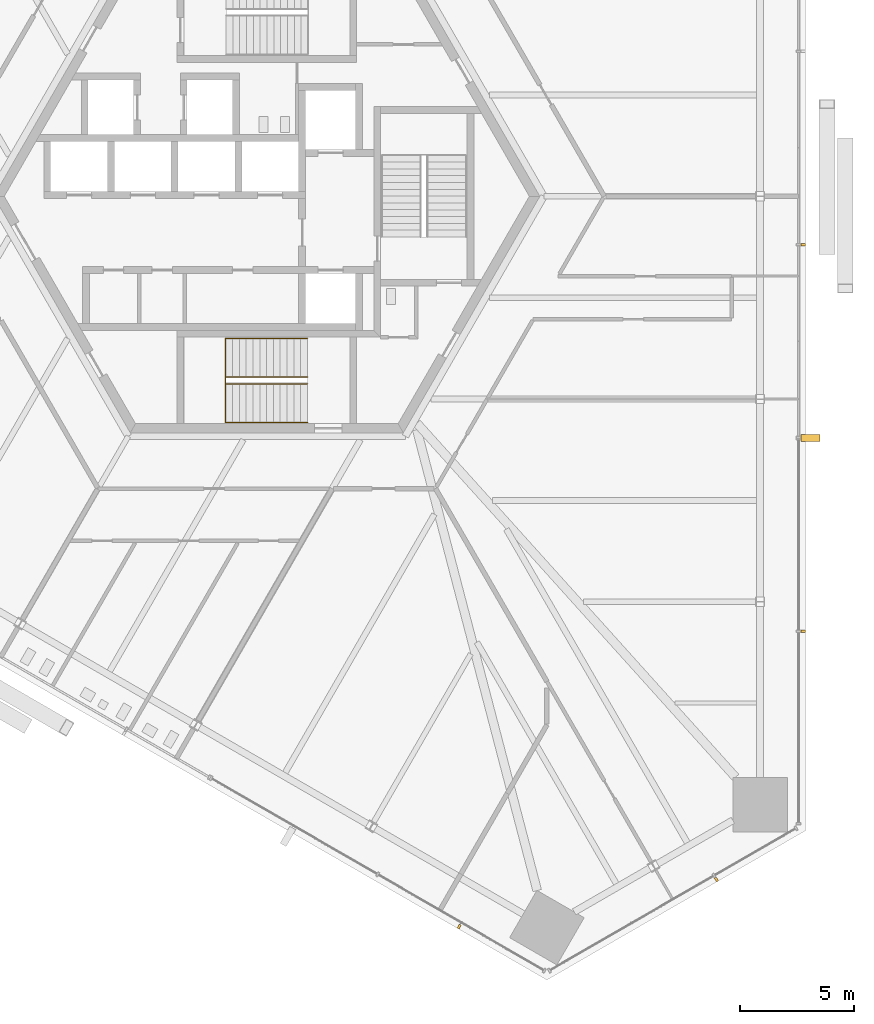
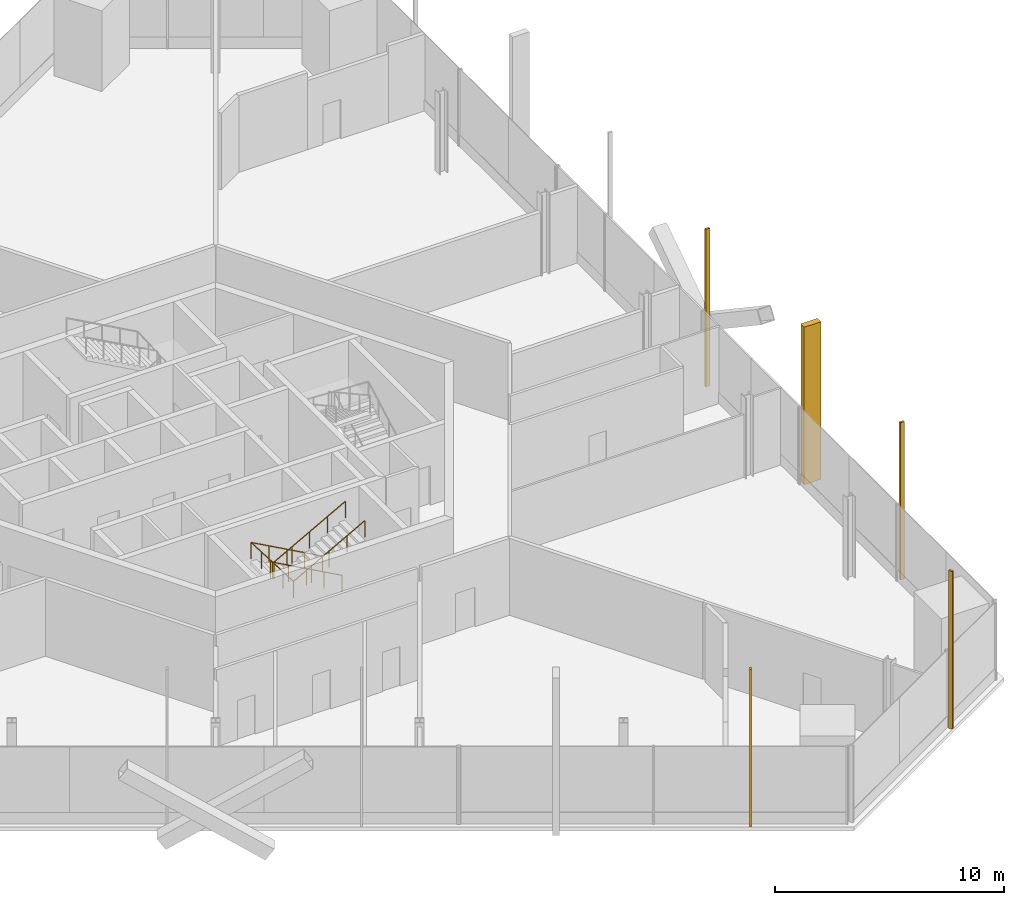
# One storey, part 15 of 18: 5 shading devices, 2 railings.
"""IFC4 building model written with IfcOpenShell, lengths in metres."""

from ifc_helpers import new_model, si_unit, direction, frame, origin, origin_2d, place, context, subcontext, project, spatial, rectangle, circle, extrude, source, transform, mapped, material, type_object, element, save


model = new_model("IFC4")

# Units and contexts
model_context = context("Model", 3, precision=1e-05, world=origin(), true_north=direction((0.0, 1.0)))
body_context = subcontext(model_context, "Body", "Model", "MODEL_VIEW")
ifc_project = project(units=[si_unit("LENGTHUNIT", "METRE"), si_unit("AREAUNIT", "SQUARE_METRE"), si_unit("VOLUMEUNIT", "CUBIC_METRE"), si_unit("PLANEANGLEUNIT", "RADIAN"), si_unit("MASSUNIT", "GRAM", prefix="KILO")], contexts=[model_context])

# Site, building, storey
site_placement = place(None, origin())
site = spatial("IfcSite", under=ifc_project, at=site_placement, CompositionType="ELEMENT")
building_placement = place(site_placement, origin())
building = spatial("IfcBuilding", under=site, at=building_placement, Name="Triune Harvest Tower", CompositionType="ELEMENT")
storey_placement = place(building_placement, frame((0.0, 0.0, 33.199951171875)))
storey = spatial("IfcBuildingStorey", under=building, at=storey_placement, Name="L07", CompositionType="ELEMENT", Elevation=33.199951171875)

# Railings
ifc_material_1 = material(Name="Stainless steel AISI 316", Category="steel")
railing_type = type_object("IfcRailingType", Name="Stair handrail", PredefinedType="HANDRAIL", material=ifc_material_1)
shared_shape_1 = source(origin(), body_context, "Body", "SweptSolid", [
    extrude(circle(Radius=0.02392578125, at=origin_2d()), frame((0.0, 0.0, 0.8759765625), z_axis=(-0.875746539262, 0.0, 0.482771166259), x_axis=(0.0, -1.0, 0.0)), (0.0, 0.0, 1.0), 4.11083984375),
    extrude(circle(Radius=0.02392578125, at=origin_2d()), frame((-3.60009765625, 0.0, 2.8603515625), z_axis=(0.0, -0.999003709343, 0.04462721948), x_axis=(1.0, 0.0, 0.0)), (0.0, 0.0, 1.0), 3.70361328125),
    extrude(circle(Radius=0.02392578125, at=origin_2d()), frame((-3.60009765625, -3.699951171875, 3.02587890625), z_axis=(0.875746539262, 0.0, 0.482771166259), x_axis=(0.0, 1.0, 0.0)), (0.0, 0.0, 1.0), 4.11083984375),
    extrude(circle(Radius=0.02099609375, at=origin_2d()), origin(), (0.0, 0.0, 1.0), 0.851806640625),
    extrude(circle(Radius=0.02099609375, at=origin_2d()), frame((-0.89990234375, 0.0, 0.49609375)), (0.0, 0.0, 1.0), 0.851806640625),
    extrude(circle(Radius=0.02099609375, at=origin_2d()), frame((-1.800048828125, 0.0, 0.9921875)), (0.0, 0.0, 1.0), 0.851806640625),
    extrude(circle(Radius=0.02099609375, at=origin_2d()), frame((-2.7001953125, 0.0, 1.488525390625)), (0.0, 0.0, 1.0), 0.851806640625),
    extrude(circle(Radius=0.02099609375, at=origin_2d()), frame((-3.60009765625, 0.0, 1.984619140625)), (0.0, 0.0, 1.0), 0.851806640625),
    extrude(circle(Radius=0.02099609375, at=origin_2d()), frame((-3.60009765625, -0.925048828125, 2.02587890625)), (0.0, 0.0, 1.0), 0.851806640625),
    extrude(circle(Radius=0.02099609375, at=origin_2d()), frame((-3.60009765625, -1.85009765625, 2.0673828125)), (0.0, 0.0, 1.0), 0.851806640625),
    extrude(circle(Radius=0.02099609375, at=origin_2d()), frame((-3.60009765625, -2.77490234375, 2.108642578125)), (0.0, 0.0, 1.0), 0.851806640625),
    extrude(circle(Radius=0.02099609375, at=origin_2d()), frame((-3.60009765625, -3.699951171875, 2.14990234375)), (0.0, 0.0, 1.0), 0.851806640625),
    extrude(circle(Radius=0.02099609375, at=origin_2d()), frame((-2.7001953125, -3.699951171875, 2.64599609375)), (0.0, 0.0, 1.0), 0.851806640625),
    extrude(circle(Radius=0.02099609375, at=origin_2d()), frame((-1.800048828125, -3.699951171875, 3.14208984375)), (0.0, 0.0, 1.0), 0.851806640625),
    extrude(circle(Radius=0.02099609375, at=origin_2d()), frame((-0.89990234375, -3.699951171875, 3.638427734375)), (0.0, 0.0, 1.0), 0.851806640625),
    extrude(circle(Radius=0.02099609375, at=origin_2d()), frame((0.0, -3.699951171875, 4.134521484375)), (0.0, 0.0, 1.0), 0.851806640625),
])
railing_1_placement = place(storey_placement, frame((1.7900390625, -6.239990234375, 0.16552734375)))
element("IfcRailing", 1, at=railing_1_placement, inside=storey, type_object=railing_type, Name="Exit stair south wall handrail", PredefinedType="HANDRAIL", context=body_context, shape_type="MappedRepresentation", body=[
    mapped(shared_shape_1, transform((0.0, 0.0, 0.0), scale=1.0)),
])
shared_shape_2 = source(origin(), body_context, "Body", "SweptSolid", [
    extrude(circle(Radius=0.02392578125, at=origin_2d()), frame((0.0, 0.0, 0.8759765625), z_axis=(-0.875746539262, 0.0, 0.482771166259), x_axis=(0.0, -1.0, 0.0)), (0.0, 0.0, 1.0), 4.11083984375),
    extrude(circle(Radius=0.02392578125, at=origin_2d()), frame((-3.60009765625, 0.0, 2.8603515625), z_axis=(0.0, -0.875899727824, 0.48249317798), x_axis=(1.0, 0.0, 0.0)), (0.0, 0.0, 1.0), 0.342529296875),
    extrude(circle(Radius=0.02392578125, at=origin_2d()), frame((-3.60009765625, -0.300048828125, 3.02587890625), z_axis=(0.875746539262, 0.0, 0.482771166259), x_axis=(0.0, 1.0, 0.0)), (0.0, 0.0, 1.0), 4.11083984375),
    extrude(circle(Radius=0.02099609375, at=origin_2d()), origin(), (0.0, 0.0, 1.0), 0.851806640625),
    extrude(circle(Radius=0.02099609375, at=origin_2d()), frame((-0.89990234375, 0.0, 0.49609375)), (0.0, 0.0, 1.0), 0.851806640625),
    extrude(circle(Radius=0.02099609375, at=origin_2d()), frame((-1.800048828125, 0.0, 0.9921875)), (0.0, 0.0, 1.0), 0.851806640625),
    extrude(circle(Radius=0.02099609375, at=origin_2d()), frame((-2.7001953125, 0.0, 1.488525390625)), (0.0, 0.0, 1.0), 0.851806640625),
    extrude(circle(Radius=0.02099609375, at=origin_2d()), frame((-3.60009765625, 0.0, 1.984619140625)), (0.0, 0.0, 1.0), 0.851806640625),
    extrude(circle(Radius=0.02099609375, at=origin_2d()), frame((-3.60009765625, -0.300048828125, 2.14990234375)), (0.0, 0.0, 1.0), 0.851806640625),
    extrude(circle(Radius=0.02099609375, at=origin_2d()), frame((-2.7001953125, -0.300048828125, 2.64599609375)), (0.0, 0.0, 1.0), 0.851806640625),
    extrude(circle(Radius=0.02099609375, at=origin_2d()), frame((-1.800048828125, -0.300048828125, 3.14208984375)), (0.0, 0.0, 1.0), 0.851806640625),
    extrude(circle(Radius=0.02099609375, at=origin_2d()), frame((-0.89990234375, -0.300048828125, 3.638427734375)), (0.0, 0.0, 1.0), 0.851806640625),
    extrude(circle(Radius=0.02099609375, at=origin_2d()), frame((0.0, -0.300048828125, 4.134521484375)), (0.0, 0.0, 1.0), 0.851806640625),
])
railing_2_placement = place(storey_placement, frame((1.7900390625, -7.93994140625, 0.16552734375)))
element("IfcRailing", 2, at=railing_2_placement, inside=storey, type_object=railing_type, Name="Exit stair south centre handrail", PredefinedType="HANDRAIL", context=body_context, shape_type="MappedRepresentation", body=[
    mapped(shared_shape_2, transform((0.0, 0.0, 0.0), scale=1.0)),
])

# Shading devices
ifc_material_2 = material(Name="Aluminium bronze anodised", Category="aluminium")
shared_shape_3 = source(origin(), body_context, "Body", "SweptSolid", [
    extrude(rectangle(XDim=0.10009765625, YDim=0.199951171875, at=origin_2d()), origin(), (0.0, 0.0, 1.0), 8.39990234375),
])
for number, where, z_axis, x_axis, name in (
    (3, (23.5712890625, -19.119384765625, 0.0), (0.0, 0.0, 1.0), (0.0, 1.0, 0.0), "FN-1 fin B1-F1.3 L07"),
    (4, (23.5712890625, -2.124267578125, 0.0), (0.0, 0.0, 1.0), (0.0, 1.0, 0.0), "FN-1 fin B1-F1.7 L07"),
    (5, (8.45166015625, -32.097412109375, 0.0), (0.0, 0.0, 1.0), (0.866025470037, -0.499999885247, 0.0), "FN-1 fin B1-F5.13 L07"),
    (6, (19.758056640625, -30.02392578125, 0.0), (0.0, 0.0, 1.0), (0.866026145592, 0.499998715149, 0.0), "FN-1 fin B1-F6.3 L07"),
):
    element("IfcShadingDevice", number, at=place(storey_placement, frame(where, z_axis=z_axis, x_axis=x_axis)), inside=storey, material=ifc_material_2, Name=name, ObjectType="FIN", PredefinedType="USERDEFINED", context=body_context, shape_type="MappedRepresentation", body=[
        mapped(shared_shape_3, transform((0.0, 0.0, 0.0), scale=1.0)),
    ])
shared_shape_4 = source(origin(), body_context, "Body", "SweptSolid", [
    extrude(rectangle(XDim=0.300048828125, YDim=0.85009765625, at=origin_2d()), origin(), (0.0, 0.0, 1.0), 8.39990234375),
])
shading_device_placement = place(storey_placement, frame((23.896484375, -10.621826171875, 0.0), z_axis=(0.0, 0.0, 1.0), x_axis=(0.0, 1.0, 0.0)))
element("IfcShadingDevice", 7, at=shading_device_placement, inside=storey, material=ifc_material_2, Name="FN-2 fin B1-F1.5 L07", ObjectType="FIN", PredefinedType="USERDEFINED", context=body_context, shape_type="MappedRepresentation", body=[
    mapped(shared_shape_4, transform((0.0, 0.0, 0.0), scale=1.0)),
])

save(model, "model.ifc")
